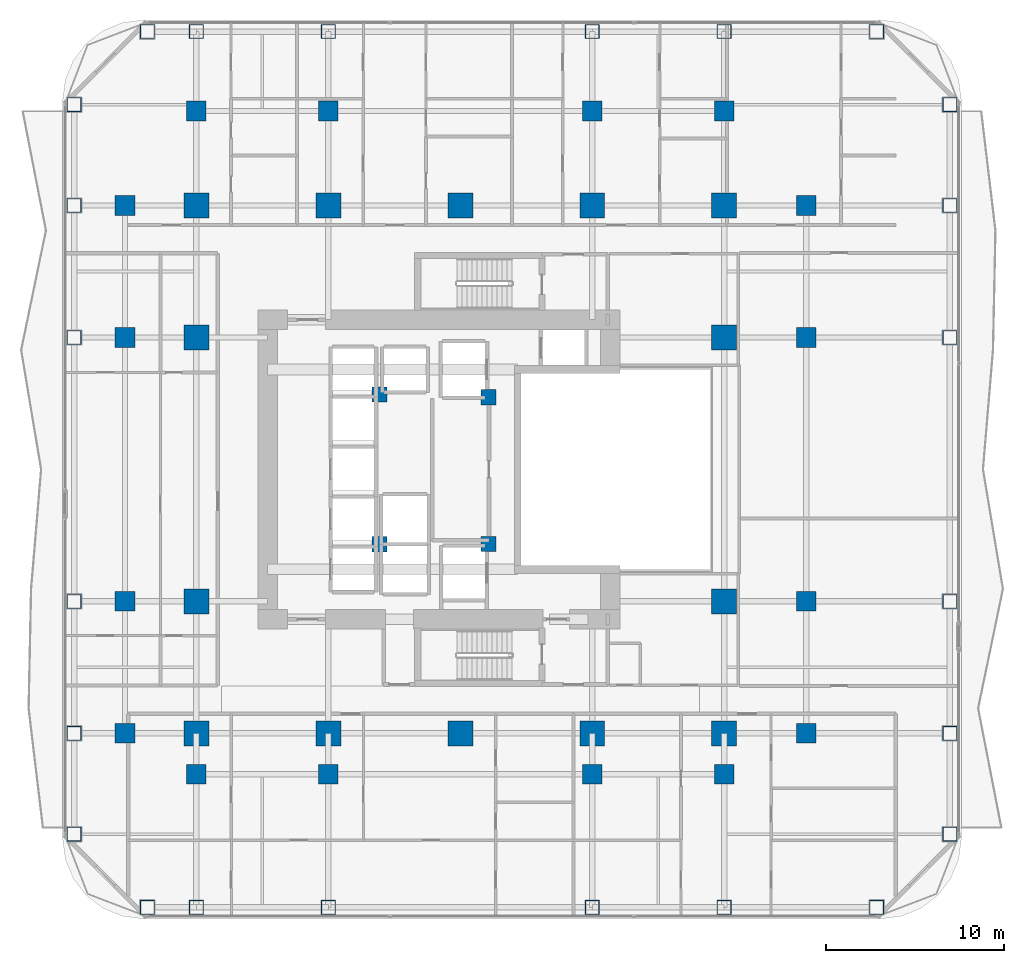
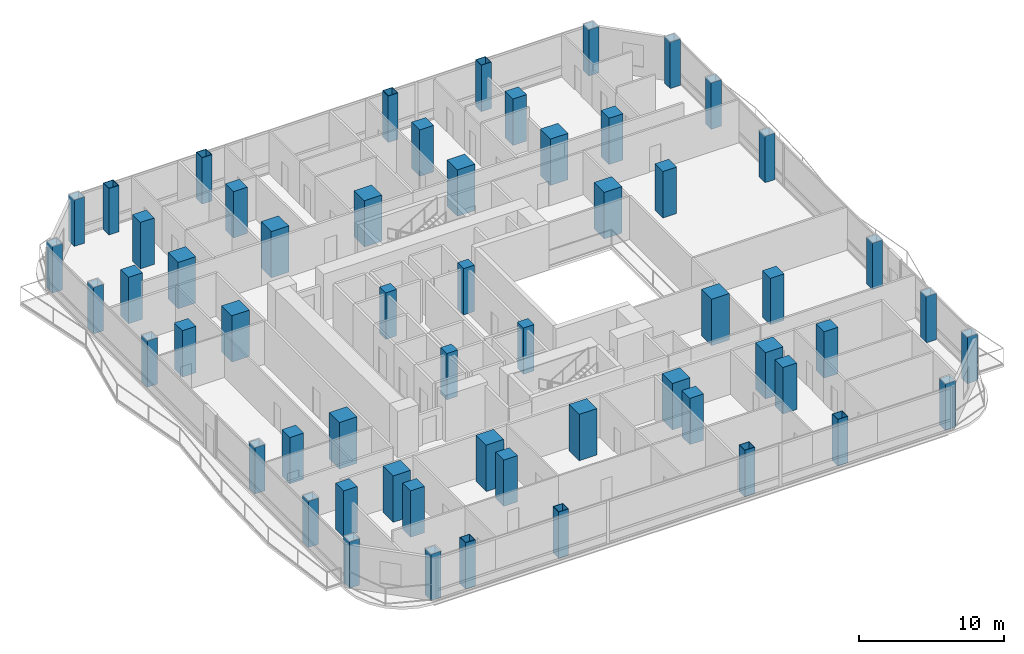
# One storey, part 1 of 27: 58 columns.
"""IFC4 building model written with IfcOpenShell, lengths in metres."""

import ifcopenshell
import ifcopenshell.guid

model = None  # the IFC model being written
_history = None  # IfcOwnerHistory: only IFC2X3 demands one
_inside = {}  # id of a spatial element -> (the spatial element, [elements in it])
_under = {}  # id of a project, library or spatial element -> (it, [spatial elements below it])
_declared = {}  # id of a project -> (the project, [libraries it declares])
_typed = {}  # id of a type object -> (the type object, [elements of that type])
_made_of = {}  # id of a material, layer set ... -> (it, [elements and type objects made of it])


def new_model(schema):
    """Start an empty IFC model of exactly this schema.

    Asked for "IFC4X3", IfcOpenShell would pick the latest addendum, in which some entities
    have other attributes; the version numbers below select the first issue.
    IFC2X3 requires an IfcOwnerHistory on every rooted entity: one is made here for all.
    """
    global model, _history
    if schema == "IFC4X3":
        model = ifcopenshell.file(schema_version=(4, 3, 0, 0))
    else:
        model = ifcopenshell.file(schema=schema)
    _inside.clear()
    _under.clear()
    _declared.clear()
    _typed.clear()
    _made_of.clear()
    _history = None
    if model.schema == "IFC2X3":
        org = make("IfcOrganization", Name="unknown")
        user = make(
            "IfcPersonAndOrganization",
            ThePerson=make("IfcPerson", FamilyName="unknown"),
            TheOrganization=org,
        )
        app = make(
            "IfcApplication",
            ApplicationDeveloper=org,
            Version="unknown",
            ApplicationFullName="unknown",
            ApplicationIdentifier="unknown",
        )
        _history = make(
            "IfcOwnerHistory",
            OwningUser=user,
            OwningApplication=app,
            ChangeAction="ADDED",
            CreationDate=0,
        )
    return model


def make(cls, **values):
    """One entity of the class cls with the attributes given. An attribute that is None is left unset."""
    return model.create_entity(
        cls, **{name: value for name, value in values.items() if value is not None}
    )


def rooted(cls, **values):
    """An entity with a GlobalId (a new one), such as an element, a storey or a relation."""
    return make(cls, GlobalId=ifcopenshell.guid.new(), OwnerHistory=_history, **values)


def si_unit(unit_type, name, prefix=None):
    """IfcSIUnit, for example si_unit("LENGTHUNIT", "METRE", prefix="MILLI")."""
    return make("IfcSIUnit", UnitType=unit_type, Prefix=prefix, Name=name)


def assignment(units):
    """IfcUnitAssignment: the units of a project."""
    return None if units is None else make("IfcUnitAssignment", Units=units)


def point(xyz):
    """IfcCartesianPoint."""
    return None if xyz is None else make("IfcCartesianPoint", Coordinates=xyz)


def direction(xyz):
    """IfcDirection."""
    return None if xyz is None else make("IfcDirection", DirectionRatios=xyz)


def frame(location, z_axis=None, x_axis=None):
    """IfcAxis2Placement3D, a coordinate frame: its origin and axes. An axis left out is left unset."""
    return make(
        "IfcAxis2Placement3D",
        Location=point(location),
        Axis=direction(z_axis),
        RefDirection=direction(x_axis),
    )


def frame_2d(location, x_axis=None):
    """IfcAxis2Placement2D, a coordinate frame in the plane: its origin and x axis."""
    return make(
        "IfcAxis2Placement2D", Location=point(location), RefDirection=direction(x_axis)
    )


def origin():
    """The frame at (0, 0, 0) with its axes left unset."""
    return frame((0.0, 0.0, 0.0))


def origin_2d():
    """The frame at (0, 0) in the plane with its x axis left unset."""
    return frame_2d((0.0, 0.0))


def place(relative_to, where):
    """IfcLocalPlacement: puts the frame where relative to a parent placement (None: the world)."""
    return make(
        "IfcLocalPlacement", PlacementRelTo=relative_to, RelativePlacement=where
    )


def context(
    kind, dimensions, precision=None, world=None, true_north=None, identifier=None
):
    """IfcGeometricRepresentationContext, for example the 3D "Model" context."""
    return make(
        "IfcGeometricRepresentationContext",
        ContextIdentifier=identifier,
        ContextType=kind,
        CoordinateSpaceDimension=dimensions,
        Precision=precision,
        WorldCoordinateSystem=world,
        TrueNorth=true_north,
    )


def subcontext(parent, identifier, kind, view, scale=None):
    """IfcGeometricRepresentationSubContext, for example "Body" below "Model"."""
    return make(
        "IfcGeometricRepresentationSubContext",
        ContextIdentifier=identifier,
        ContextType=kind,
        ParentContext=parent,
        TargetScale=scale,
        TargetView=view,
    )


def project(units=None, contexts=None):
    """IfcProject with its units and contexts."""
    return rooted(
        "IfcProject",
        Name="project",
        RepresentationContexts=contexts,
        UnitsInContext=assignment(units),
    )


def spatial(cls, under=None, at=None, **own):
    """A site, building, storey or space (cls), placed at a placement, below another one or the project."""
    s = rooted(cls, ObjectPlacement=at, **own)
    if under is not None:
        _under.setdefault(under.id(), (under, []))[1].append(s)
    return s


def profile(cls, at=None, kind="AREA", **sizes):
    """A parametric profile (cls). Its sizes go by their IFC names, for example OverallWidth=200.0."""
    return make(cls, ProfileType=kind, Position=at, **sizes)


def rectangle(**sizes):
    """IfcRectangleProfileDef."""
    return profile("IfcRectangleProfileDef", **sizes)


def hollow_rectangle(**sizes):
    """IfcRectangleHollowProfileDef."""
    return profile("IfcRectangleHollowProfileDef", **sizes)


def extrude(swept, where, along, depth):
    """IfcExtrudedAreaSolid: the profile swept, set in the frame where, extruded along a direction by depth."""
    return make(
        "IfcExtrudedAreaSolid",
        SweptArea=swept,
        Position=where,
        ExtrudedDirection=direction(along),
        Depth=depth,
    )


def shape(context_of_items, identifier, shape_type, items):
    """IfcShapeRepresentation: the items that make up one representation, for example the "Body"."""
    return make(
        "IfcShapeRepresentation",
        ContextOfItems=context_of_items,
        RepresentationIdentifier=identifier,
        RepresentationType=shape_type,
        Items=items,
    )


def material(Name=None, Category=None):
    """IfcMaterial."""
    return make("IfcMaterial", Name=Name, Category=Category)


def material_profile(
    of_material, cross_section, Name=None, Category=None, Priority=None
):
    """IfcMaterialProfile: a cross section and its material."""
    return make(
        "IfcMaterialProfile",
        Name=Name,
        Material=of_material,
        Profile=cross_section,
        Priority=Priority,
        Category=Category,
    )


def profile_set(profiles, Name=None, composite=None):
    """IfcMaterialProfileSet."""
    return make(
        "IfcMaterialProfileSet",
        Name=Name,
        MaterialProfiles=profiles,
        CompositeProfile=composite,
    )


def made_of(thing, what):
    """Note that an element or type object is made of a material, layer set ...; save() writes the relation."""
    if what is not None:
        _made_of.setdefault(what.id(), (what, []))[1].append(thing)
    return thing


def type_object(cls, material=None, **own):
    """A type object (cls), such as IfcWallType, which elements share."""
    return made_of(rooted(cls, **own), material)


def element(
    cls,
    number,
    at=None,
    inside=None,
    cuts=None,
    type_object=None,
    material=None,
    context=None,
    identifier="Body",
    shape_type=None,
    held_by="IfcProductDefinitionShape",
    body=None,
    shapes=None,
    **own,
):
    """One element of the class cls, such as IfcWall. Its Tag is "e" and its number.

    at: its placement. inside: the storey or other place that contains it. cuts: it is an
    opening in that element (IfcRelVoidsElement). A single representation is given by context,
    identifier, shape_type and body (its items); several are given by shapes. held_by: the class
    of the entity that holds the representations. save() writes the other relations.
    """
    e = rooted(cls, Tag="e%d" % number, ObjectPlacement=at, **own)
    if body is not None:
        shapes = [shape(context, identifier, shape_type, body)]
    if shapes is not None:
        e.Representation = make(held_by, Representations=shapes)
    if inside is not None:
        _inside.setdefault(inside.id(), (inside, []))[1].append(e)
    if cuts is not None:
        rooted(
            "IfcRelVoidsElement", RelatingBuildingElement=cuts, RelatedOpeningElement=e
        )
    if type_object is not None:
        _typed.setdefault(type_object.id(), (type_object, []))[1].append(e)
    return made_of(e, material)


def aggregate(whole, parts):
    """IfcRelAggregates: a whole, such as a stair, and the parts it consists of."""
    return rooted("IfcRelAggregates", RelatingObject=whole, RelatedObjects=parts)


def save(model, path):
    """Write the relations noted so far, then the file.

    IfcRelAggregates (storeys below a building ...), IfcRelContainedInSpatialStructure (elements
    in a storey), IfcRelDefinesByType, IfcRelAssociatesMaterial and IfcRelDeclares: one each for
    every whole, place, type object, material and project.
    """
    for whole, parts in _under.values():
        aggregate(whole, parts)
    for where, things in _inside.values():
        rooted(
            "IfcRelContainedInSpatialStructure",
            RelatedElements=things,
            RelatingStructure=where,
        )
    for kind, things in _typed.values():
        rooted("IfcRelDefinesByType", RelatedObjects=things, RelatingType=kind)
    for what, things in _made_of.values():
        rooted("IfcRelAssociatesMaterial", RelatedObjects=things, RelatingMaterial=what)
    for by, libraries in _declared.values():
        rooted("IfcRelDeclares", RelatingContext=by, RelatedDefinitions=libraries)
    model.write(path)


model = new_model("IFC4")

# Units and contexts
model_context = context("Model", 3, precision=1e-05, world=origin(), true_north=direction((0.0, 1.0)))
body_context = subcontext(model_context, "Body", "Model", "MODEL_VIEW")
ifc_project = project(units=[si_unit("LENGTHUNIT", "METRE"), si_unit("AREAUNIT", "SQUARE_METRE"), si_unit("VOLUMEUNIT", "CUBIC_METRE"), si_unit("PLANEANGLEUNIT", "RADIAN"), si_unit("MASSUNIT", "GRAM", prefix="KILO")], contexts=[model_context])

# Site, building, storey
site_placement = place(None, origin())
site = spatial("IfcSite", under=ifc_project, at=site_placement, CompositionType="ELEMENT")
building_placement = place(site_placement, origin())
building = spatial("IfcBuilding", under=site, at=building_placement, Name="Khorvyn Point Tower", CompositionType="ELEMENT")
storey_placement = place(building_placement, frame((0.0, 0.0, 50.10009765625)))
storey = spatial("IfcBuildingStorey", under=building, at=storey_placement, Name="L13", CompositionType="ELEMENT", Elevation=50.10009765625)

# Columns
ifc_material_1 = material(Name="Concrete C40/50", Category="concrete")
ifc_material_profile_1 = material_profile(ifc_material_1, rectangle(XDim=0.85009765625, YDim=0.85009765625, at=origin_2d()))
ifc_profile_set_1 = profile_set([ifc_material_profile_1], Name="Concrete C40/50 RC850x850")
column_type_1 = type_object("IfcColumnType", Name="Concrete C40/50 Column RC850x850", PredefinedType="COLUMN", material=ifc_profile_set_1)
for number, where, z_axis, x_axis, name in (
    (1, (-4.52001953125, -4.199951171875, 0.0), (0.0, 0.0, 1.0), (1.0, 0.0, 0.0), "L13 Crown Core Spine Column 1"),
    (2, (1.580078125, -4.179931640625, 0.0), (0.0, 0.0, 1.0), (1.0, 0.0, 0.0), "L13 Crown Core Spine Column 2"),
    (3, (1.580078125, 4.050048828125, 0.0), (0.0, 0.0, 1.0), (1.0, 0.0, 0.0), "L13 Crown Core Spine Column 3"),
    (4, (-4.52001953125, 4.199951171875, 0.0), (0.0, 0.0, 1.0), (1.0, 0.0, 0.0), "L13 Crown Core Spine Column 4"),
):
    element("IfcColumn", number, at=place(storey_placement, frame(where, z_axis=z_axis, x_axis=x_axis)), inside=storey, type_object=column_type_1, Name=name, PredefinedType="COLUMN", context=body_context, shape_type="SweptSolid", body=[
        extrude(rectangle(XDim=0.85009765625, YDim=0.85009765625, at=origin_2d()), origin(), (0.0, 0.0, 1.0), 3.89990234375),
    ])
ifc_material_2 = material(Name="Concrete C45/55", Category="concrete")
ifc_material_profile_2 = material_profile(ifc_material_2, rectangle(XDim=1.10009765625, YDim=1.10009765625, at=origin_2d()))
ifc_profile_set_2 = profile_set([ifc_material_profile_2], Name="Concrete C45/55 RC1100x1100")
column_type_2 = type_object("IfcColumnType", Name="Concrete C45/55 Column RC1100x1100", PredefinedType="COLUMN", material=ifc_profile_set_2)
for number, where, z_axis, x_axis, name in (
    (5, (-18.800048828125, -14.800048828125, 0.0), (0.0, 0.0, 1.0), (1.0, 0.0, 0.0), "L13 Intermediate Column ICW--14"),
    (6, (-18.800048828125, -7.39990234375, 0.0), (0.0, 0.0, 1.0), (1.0, 0.0, 0.0), "L13 Intermediate Column ICW--7"),
    (7, (-18.800048828125, 7.39990234375, 0.0), (0.0, 0.0, 1.0), (1.0, 0.0, 0.0), "L13 Intermediate Column ICW-7"),
    (8, (-18.800048828125, 14.800048828125, 0.0), (0.0, 0.0, 1.0), (1.0, 0.0, 0.0), "L13 Intermediate Column ICW-14"),
    (9, (19.39990234375, -14.800048828125, 0.0), (0.0, 0.0, 1.0), (1.0, 0.0, 0.0), "L13 Intermediate Column ICE--14"),
    (10, (19.39990234375, -7.39990234375, 0.0), (0.0, 0.0, 1.0), (1.0, 0.0, 0.0), "L13 Intermediate Column ICE--7"),
    (11, (19.39990234375, 7.39990234375, 0.0), (0.0, 0.0, 1.0), (1.0, 0.0, 0.0), "L13 Intermediate Column ICE-7"),
    (12, (19.39990234375, 14.800048828125, 0.0), (0.0, 0.0, 1.0), (1.0, 0.0, 0.0), "L13 Intermediate Column ICE-14"),
    (13, (-14.800048828125, -17.10009765625, 0.0), (0.0, 0.0, 1.0), (1.0, 0.0, 0.0), "L13 Intermediate Column ICS--14"),
    (14, (-7.39990234375, -17.10009765625, 0.0), (0.0, 0.0, 1.0), (1.0, 0.0, 0.0), "L13 Intermediate Column ICS--7"),
    (15, (7.39990234375, -17.10009765625, 0.0), (0.0, 0.0, 1.0), (1.0, 0.0, 0.0), "L13 Intermediate Column ICS-7"),
    (16, (14.800048828125, -17.10009765625, 0.0), (0.0, 0.0, 1.0), (1.0, 0.0, 0.0), "L13 Intermediate Column ICS-14"),
    (17, (-14.800048828125, 20.10009765625, 0.0), (0.0, 0.0, 1.0), (1.0, 0.0, 0.0), "L13 Intermediate Column ICN--14"),
    (18, (-7.39990234375, 20.10009765625, 0.0), (0.0, 0.0, 1.0), (1.0, 0.0, 0.0), "L13 Intermediate Column ICN--7"),
    (19, (7.39990234375, 20.10009765625, 0.0), (0.0, 0.0, 1.0), (1.0, 0.0, 0.0), "L13 Intermediate Column ICN-7"),
    (20, (14.800048828125, 20.10009765625, 0.0), (0.0, 0.0, 1.0), (1.0, 0.0, 0.0), "L13 Intermediate Column ICN-14"),
):
    element("IfcColumn", number, at=place(storey_placement, frame(where, z_axis=z_axis, x_axis=x_axis)), inside=storey, type_object=column_type_2, Name=name, PredefinedType="COLUMN", context=body_context, shape_type="SweptSolid", body=[
        extrude(rectangle(XDim=1.10009765625, YDim=1.10009765625, at=origin_2d()), origin(), (0.0, 0.0, 1.0), 3.89990234375),
    ])
ifc_material_3 = material(Name="Concrete C50/60", Category="concrete")
ifc_material_profile_3 = material_profile(ifc_material_3, rectangle(XDim=1.39990234375, YDim=1.39990234375, at=origin_2d()))
ifc_profile_set_3 = profile_set([ifc_material_profile_3], Name="Concrete C50/60 RC1400x1400")
column_type_3 = type_object("IfcColumnType", Name="Concrete C50/60 Column RC1400x1400", PredefinedType="COLUMN", material=ifc_profile_set_3)
for number, where, z_axis, x_axis, name in (
    (21, (-14.800048828125, -14.800048828125, 0.0), (0.0, 0.0, 1.0), (1.0, 0.0, 0.0), "L13 Mega-Column MC-01"),
    (22, (-7.39990234375, -14.800048828125, 0.0), (0.0, 0.0, 1.0), (1.0, 0.0, 0.0), "L13 Mega-Column MC-02"),
    (23, (0.0, -14.800048828125, 0.0), (0.0, 0.0, 1.0), (1.0, 0.0, 0.0), "L13 Mega-Column MC-03"),
    (24, (7.39990234375, -14.800048828125, 0.0), (0.0, 0.0, 1.0), (1.0, 0.0, 0.0), "L13 Mega-Column MC-04"),
    (25, (14.800048828125, -14.800048828125, 0.0), (0.0, 0.0, 1.0), (1.0, 0.0, 0.0), "L13 Mega-Column MC-05"),
    (26, (-14.800048828125, 14.800048828125, 0.0), (0.0, 0.0, 1.0), (1.0, 0.0, 0.0), "L13 Mega-Column MC-06"),
    (27, (-7.39990234375, 14.800048828125, 0.0), (0.0, 0.0, 1.0), (1.0, 0.0, 0.0), "L13 Mega-Column MC-07"),
    (28, (0.0, 14.800048828125, 0.0), (0.0, 0.0, 1.0), (1.0, 0.0, 0.0), "L13 Mega-Column MC-08"),
    (29, (7.39990234375, 14.800048828125, 0.0), (0.0, 0.0, 1.0), (1.0, 0.0, 0.0), "L13 Mega-Column MC-09"),
    (30, (14.800048828125, 14.800048828125, 0.0), (0.0, 0.0, 1.0), (1.0, 0.0, 0.0), "L13 Mega-Column MC-10"),
    (31, (-14.800048828125, -7.39990234375, 0.0), (0.0, 0.0, 1.0), (1.0, 0.0, 0.0), "L13 Mega-Column MC-11"),
    (32, (-14.800048828125, 7.39990234375, 0.0), (0.0, 0.0, 1.0), (1.0, 0.0, 0.0), "L13 Mega-Column MC-12"),
    (33, (14.800048828125, -7.39990234375, 0.0), (0.0, 0.0, 1.0), (1.0, 0.0, 0.0), "L13 Mega-Column MC-13"),
    (34, (14.800048828125, 7.39990234375, 0.0), (0.0, 0.0, 1.0), (1.0, 0.0, 0.0), "L13 Mega-Column MC-14"),
):
    element("IfcColumn", number, at=place(storey_placement, frame(where, z_axis=z_axis, x_axis=x_axis)), inside=storey, type_object=column_type_3, Name=name, PredefinedType="COLUMN", context=body_context, shape_type="SweptSolid", body=[
        extrude(rectangle(XDim=1.39990234375, YDim=1.39990234375, at=origin_2d()), origin(), (0.0, 0.0, 1.0), 3.89990234375),
    ])
ifc_material_4 = material(Name="Steel S450", Category="steel")
ifc_material_profile_4 = material_profile(ifc_material_4, hollow_rectangle(XDim=0.800048828125, YDim=0.800048828125, WallThickness=0.035888671875, at=origin_2d()))
ifc_profile_set_4 = profile_set([ifc_material_profile_4], Name="Steel S450 BOX800x800x36")
column_type_4 = type_object("IfcColumnType", Name="Steel S450 Structural Column BOX800x800x36", PredefinedType="COLUMN", material=ifc_profile_set_4)
for number, where, z_axis, x_axis, name in (
    (35, (-17.550048828125, -24.550048828125, 0.0), (0.0, 0.0, 1.0), (1.0, 0.0, 0.0), "L13 Perimeter Tube Column TC-01"),
    (36, (23.35009765625, -24.550048828125, 0.0), (0.0, 0.0, 1.0), (1.0, 0.0, 0.0), "L13 Perimeter Tube Column TC-02"),
    (37, (-17.550048828125, 24.550048828125, 0.0), (0.0, 0.0, 1.0), (1.0, 0.0, 0.0), "L13 Perimeter Tube Column TC-03"),
    (38, (23.35009765625, 24.550048828125, 0.0), (0.0, 0.0, 1.0), (1.0, 0.0, 0.0), "L13 Perimeter Tube Column TC-04"),
    (39, (-21.64990234375, -20.449951171875, 0.0), (0.0, 0.0, 1.0), (1.0, 0.0, 0.0), "L13 Perimeter Tube Column TC-05"),
    (40, (-21.64990234375, 20.449951171875, 0.0), (0.0, 0.0, 1.0), (1.0, 0.0, 0.0), "L13 Perimeter Tube Column TC-06"),
    (41, (27.449951171875, -20.449951171875, 0.0), (0.0, 0.0, 1.0), (1.0, 0.0, 0.0), "L13 Perimeter Tube Column TC-07"),
    (42, (27.449951171875, 20.449951171875, 0.0), (0.0, 0.0, 1.0), (1.0, 0.0, 0.0), "L13 Perimeter Tube Column TC-08"),
    (43, (-14.800048828125, -24.550048828125, 0.0), (0.0, 0.0, 1.0), (1.0, 0.0, 0.0), "L13 Perimeter Tube Column TC-09"),
    (44, (-14.800048828125, 24.550048828125, 0.0), (0.0, 0.0, 1.0), (1.0, 0.0, 0.0), "L13 Perimeter Tube Column TC-10"),
    (45, (-7.39990234375, -24.550048828125, 0.0), (0.0, 0.0, 1.0), (1.0, 0.0, 0.0), "L13 Perimeter Tube Column TC-11"),
    (46, (-7.39990234375, 24.550048828125, 0.0), (0.0, 0.0, 1.0), (1.0, 0.0, 0.0), "L13 Perimeter Tube Column TC-12"),
    (47, (7.39990234375, -24.550048828125, 0.0), (0.0, 0.0, 1.0), (1.0, 0.0, 0.0), "L13 Perimeter Tube Column TC-13"),
    (48, (7.39990234375, 24.550048828125, 0.0), (0.0, 0.0, 1.0), (1.0, 0.0, 0.0), "L13 Perimeter Tube Column TC-14"),
    (49, (14.800048828125, -24.550048828125, 0.0), (0.0, 0.0, 1.0), (1.0, 0.0, 0.0), "L13 Perimeter Tube Column TC-15"),
    (50, (14.800048828125, 24.550048828125, 0.0), (0.0, 0.0, 1.0), (1.0, 0.0, 0.0), "L13 Perimeter Tube Column TC-16"),
    (51, (-21.64990234375, -14.800048828125, 0.0), (0.0, 0.0, 1.0), (1.0, 0.0, 0.0), "L13 Perimeter Tube Column TC-17"),
    (52, (27.449951171875, -14.800048828125, 0.0), (0.0, 0.0, 1.0), (1.0, 0.0, 0.0), "L13 Perimeter Tube Column TC-18"),
    (53, (-21.64990234375, -7.39990234375, 0.0), (0.0, 0.0, 1.0), (1.0, 0.0, 0.0), "L13 Perimeter Tube Column TC-19"),
    (54, (27.449951171875, -7.39990234375, 0.0), (0.0, 0.0, 1.0), (1.0, 0.0, 0.0), "L13 Perimeter Tube Column TC-20"),
    (55, (-21.64990234375, 7.39990234375, 0.0), (0.0, 0.0, 1.0), (1.0, 0.0, 0.0), "L13 Perimeter Tube Column TC-21"),
    (56, (27.449951171875, 7.39990234375, 0.0), (0.0, 0.0, 1.0), (1.0, 0.0, 0.0), "L13 Perimeter Tube Column TC-22"),
    (57, (-21.64990234375, 14.800048828125, 0.0), (0.0, 0.0, 1.0), (1.0, 0.0, 0.0), "L13 Perimeter Tube Column TC-23"),
    (58, (27.449951171875, 14.800048828125, 0.0), (0.0, 0.0, 1.0), (1.0, 0.0, 0.0), "L13 Perimeter Tube Column TC-24"),
):
    element("IfcColumn", number, at=place(storey_placement, frame(where, z_axis=z_axis, x_axis=x_axis)), inside=storey, type_object=column_type_4, Name=name, PredefinedType="COLUMN", context=body_context, shape_type="SweptSolid", body=[
        extrude(hollow_rectangle(XDim=0.800048828125, YDim=0.800048828125, WallThickness=0.035888671875, at=origin_2d()), origin(), (0.0, 0.0, 1.0), 3.89990234375),
    ])

save(model, "model.ifc")
